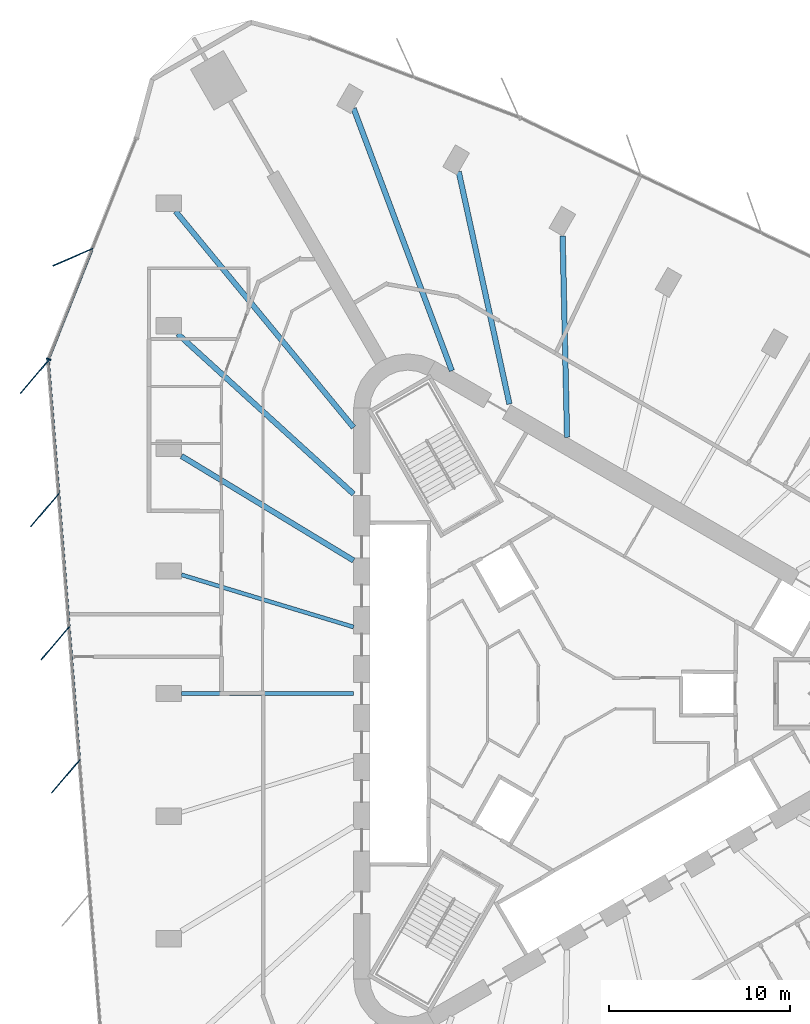
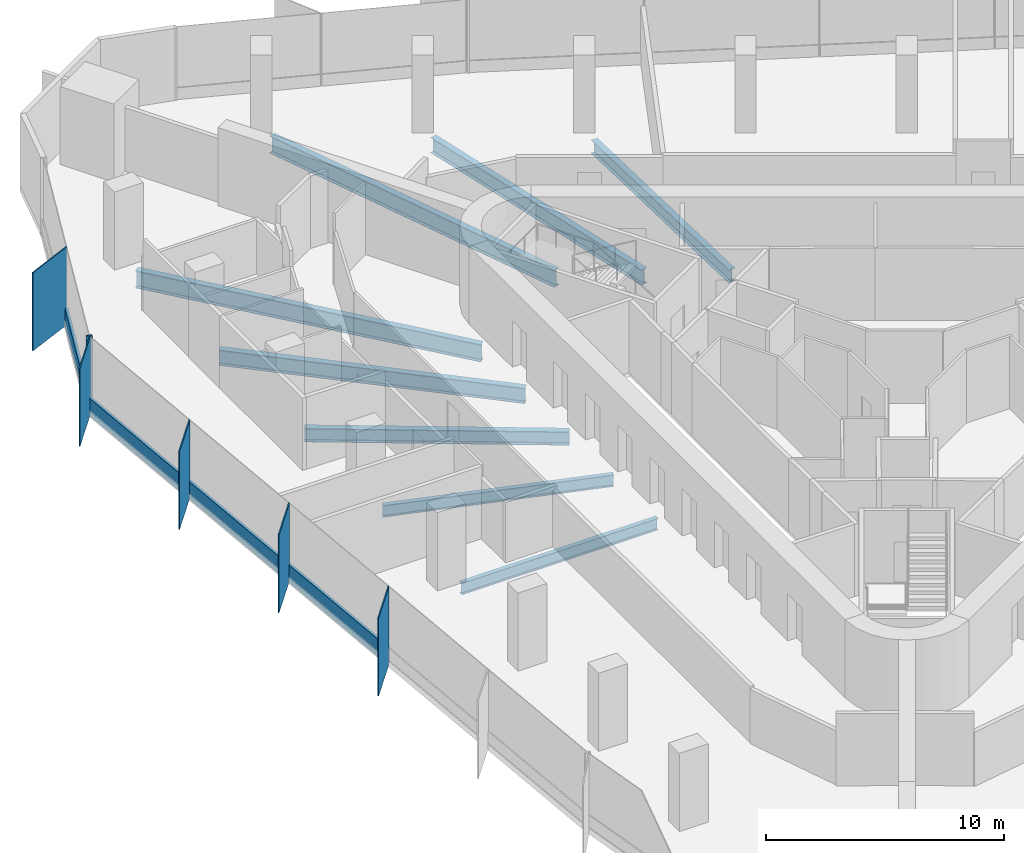
# One storey, part 4 of 13: 10 members, 8 beams, 2 elements without a shape of their own.
"""IFC4 building model written with IfcOpenShell, lengths in metres."""

from ifc_helpers import new_model, si_unit, direction, frame, origin, origin_2d, place, context, subcontext, project, spatial, rectangle, i_section, extrude, material, material_profile, profile_set, type_object, element, aggregate, save


model = new_model("IFC4")

# Units and contexts
model_context = context("Model", 3, precision=1e-05, world=origin(), true_north=direction((0.0, 1.0)))
body_context = subcontext(model_context, "Body", "Model", "MODEL_VIEW")
ifc_project = project(units=[si_unit("LENGTHUNIT", "METRE"), si_unit("AREAUNIT", "SQUARE_METRE"), si_unit("VOLUMEUNIT", "CUBIC_METRE"), si_unit("PLANEANGLEUNIT", "RADIAN"), si_unit("MASSUNIT", "GRAM", prefix="KILO")], contexts=[model_context])

# Site, building, storey
site_placement = place(None, origin())
site = spatial("IfcSite", under=ifc_project, at=site_placement, CompositionType="ELEMENT")
building_placement = place(site_placement, origin())
building = spatial("IfcBuilding", under=site, at=building_placement, Name="Tanit Gate Tower", CompositionType="ELEMENT")
storey_placement = place(building_placement, frame((0.0, 0.0, 197.199951171875)))
storey = spatial("IfcBuildingStorey", under=building, at=storey_placement, Name="L43", CompositionType="ELEMENT", Elevation=197.199951171875)

# Curtain wall, member
ifc_material_1 = material(Name="Aluminium bronze anodised and glass", Category="aluminium")
curtain_wall_type = type_object("IfcCurtainWallType", Name="Curtain wall typical mid", PredefinedType="NOTDEFINED", material=ifc_material_1)
curtain_wall_1_placement = place(storey_placement, origin())
curtain_wall_1 = element("IfcCurtainWall", 1, at=curtain_wall_1_placement, inside=storey, type_object=curtain_wall_type, Name="Curtain wall L43 W1", PredefinedType="NOTDEFINED")
ifc_material_2 = material(Name="Aluminium bronze anodised", Category="aluminium")
ifc_material_profile_1 = material_profile(ifc_material_2, rectangle(XDim=2.39990234375, YDim=0.055908203125, at=origin_2d()), Name="56x2400 bronze fin mullion")
ifc_profile_set_1 = profile_set([ifc_material_profile_1], Name="Aluminium bronze anodised")
member_type_1 = type_object("IfcMemberType", Name="FIN MULLION 56x2400 bronze", PredefinedType="MULLION", material=ifc_profile_set_1)
member_1_placement = place(storey_placement, frame((-27.60888671875, 24.100830078125, -0.300048828125), z_axis=(0.0, 0.0, 1.0), x_axis=(0.917994153151, 0.396593916721, 0.0)))
member_1 = element("IfcMember", 2, at=member_1_placement, type_object=member_type_1, Name="Fin mullion L43 W1.2", PredefinedType="MULLION", context=body_context, shape_type="SweptSolid", body=[
    extrude(rectangle(XDim=2.39990234375, YDim=0.055908203125, at=origin_2d()), origin(), (0.0, 0.0, 1.0), 4.0),
])

# Curtain wall, members
curtain_wall_2_placement = place(storey_placement, origin())
curtain_wall_2 = element("IfcCurtainWall", 3, at=curtain_wall_2_placement, inside=storey, type_object=curtain_wall_type, Name="Curtain wall L43 W2", PredefinedType="NOTDEFINED")
member_2_placement = place(storey_placement, frame((-29.724853515625, 17.4931640625, -0.300048828125), z_axis=(0.0, 0.0, 1.0), x_axis=(0.649921223903, 0.760001580735, 0.0)))
member_2 = element("IfcMember", 4, at=member_2_placement, type_object=member_type_1, Name="Fin mullion L43 W2.1", PredefinedType="MULLION", context=body_context, shape_type="SweptSolid", body=[
    extrude(rectangle(XDim=2.39990234375, YDim=0.055908203125, at=origin_2d()), origin(), (0.0, 0.0, 1.0), 4.0),
])
member_3_placement = place(storey_placement, frame((-29.150390625, 10.13671875, -0.300048828125), z_axis=(0.0, 0.0, 1.0), x_axis=(0.649921223903, 0.760001580735, 0.0)))
member_3 = element("IfcMember", 5, at=member_3_placement, type_object=member_type_1, Name="Fin mullion L43 W2.2", PredefinedType="MULLION", context=body_context, shape_type="SweptSolid", body=[
    extrude(rectangle(XDim=2.39990234375, YDim=0.055908203125, at=origin_2d()), origin(), (0.0, 0.0, 1.0), 4.0),
])
member_4_placement = place(storey_placement, frame((-28.576171875, 2.7802734375, -0.300048828125), z_axis=(0.0, 0.0, 1.0), x_axis=(0.649921223903, 0.760001580735, 0.0)))
member_4 = element("IfcMember", 6, at=member_4_placement, type_object=member_type_1, Name="Fin mullion L43 W2.3", PredefinedType="MULLION", context=body_context, shape_type="SweptSolid", body=[
    extrude(rectangle(XDim=2.39990234375, YDim=0.055908203125, at=origin_2d()), origin(), (0.0, 0.0, 1.0), 4.0),
])
member_5_placement = place(storey_placement, frame((-28.001708984375, -4.576171875, -0.300048828125), z_axis=(0.0, 0.0, 1.0), x_axis=(0.649921223903, 0.760001580735, 0.0)))
member_5 = element("IfcMember", 7, at=member_5_placement, type_object=member_type_1, Name="Fin mullion L43 W2.4", PredefinedType="MULLION", context=body_context, shape_type="SweptSolid", body=[
    extrude(rectangle(XDim=2.39990234375, YDim=0.055908203125, at=origin_2d()), origin(), (0.0, 0.0, 1.0), 4.0),
])

# Member
ifc_material_3 = material(Name="Aluminium bronze anodised", Category="aluminium")
ifc_material_profile_2 = material_profile(ifc_material_3, rectangle(XDim=0.260009765625, YDim=0.080078125, at=origin_2d()), Name="80x260 bronze mullion")
ifc_profile_set_2 = profile_set([ifc_material_profile_2], Name="Aluminium bronze anodised")
member_type_2 = type_object("IfcMemberType", Name="Mullion 80x260 typical mid", PredefinedType="MULLION", material=ifc_profile_set_2)
member_6_placement = place(storey_placement, frame((-28.947021484375, 18.466064453125, -0.300048828125), z_axis=(0.0, 0.0, 1.0), x_axis=(0.929554138674, -0.368685642892, 0.0)))
member_6 = element("IfcMember", 8, at=member_6_placement, type_object=member_type_2, Name="Mullion L43 W1.3", PredefinedType="MULLION", context=body_context, shape_type="SweptSolid", body=[
    extrude(rectangle(XDim=0.260009765625, YDim=0.080078125, at=origin_2d()), origin(), (0.0, 0.0, 1.0), 4.0),
])

# Beams
ifc_material_4 = material(Name="Steel S355", Category="steel")
ifc_material_profile_3 = material_profile(ifc_material_4, i_section(OverallWidth=0.300048828125, OverallDepth=0.68994140625, WebThickness=0.014404296875, FlangeThickness=0.027099609375, FilletRadius=0.027099609375, at=origin_2d()), Name="HEA 700")
ifc_profile_set_3 = profile_set([ifc_material_profile_3], Name="Steel S355")
beam_type_1 = type_object("IfcBeamType", Name="RADIAL GIRDER HEA 700 S355", PredefinedType="BEAM", material=ifc_profile_set_3)
beam_1_placement = place(storey_placement, frame((-0.556884765625, 25.269775390625, -0.64501953125), z_axis=(0.022024571196, -0.999757429712, 0.0), x_axis=(0.999757429712, 0.022024571196, 0.0)))
element("IfcBeam", 9, at=beam_1_placement, inside=storey, type_object=beam_type_1, Name="RADIAL GIRDER", PredefinedType="BEAM", context=body_context, shape_type="SweptSolid", body=[
    extrude(i_section(OverallWidth=0.300048828125, OverallDepth=0.68994140625, WebThickness=0.014404296875, FlangeThickness=0.027099609375, FilletRadius=0.027099609375, at=origin_2d()), origin(), (0.0, 0.0, 1.0), 11.1181640625),
])
beam_2_placement = place(storey_placement, frame((-21.605712890625, 13.116943359375, -0.64501953125), z_axis=(0.854799691716, -0.518958078309, 0.0), x_axis=(0.518958078309, 0.854799691716, 0.0)))
element("IfcBeam", 10, at=beam_2_placement, inside=storey, type_object=beam_type_1, Name="RADIAL GIRDER", PredefinedType="BEAM", context=body_context, shape_type="SweptSolid", body=[
    extrude(i_section(OverallWidth=0.300048828125, OverallDepth=0.68994140625, WebThickness=0.014404296875, FlangeThickness=0.027099609375, FilletRadius=0.027099609375, at=origin_2d()), origin(), (0.0, 0.0, 1.0), 11.117919921875),
])
ifc_material_5 = material(Name="Steel S355", Category="steel")
ifc_material_profile_4 = material_profile(ifc_material_5, i_section(OverallWidth=0.300048828125, OverallDepth=0.7900390625, WebThickness=0.014892578125, FlangeThickness=0.028076171875, FilletRadius=0.030029296875, at=origin_2d()), Name="HEA 800")
ifc_profile_set_4 = profile_set([ifc_material_profile_4], Name="Steel S355")
beam_type_2 = type_object("IfcBeamType", Name="RADIAL GIRDER HEA 800 S355", PredefinedType="BEAM", material=ifc_profile_set_4)
beam_3_placement = place(storey_placement, frame((-6.2958984375, 28.821044921875, -0.695068359375), z_axis=(0.213417442775, -0.976961102153, 0.0), x_axis=(0.976961102153, 0.213417442775, 0.0)))
element("IfcBeam", 11, at=beam_3_placement, inside=storey, type_object=beam_type_2, Name="RADIAL GIRDER", PredefinedType="BEAM", context=body_context, shape_type="SweptSolid", body=[
    extrude(i_section(OverallWidth=0.300048828125, OverallDepth=0.7900390625, WebThickness=0.014892578125, FlangeThickness=0.028076171875, FilletRadius=0.030029296875, at=origin_2d()), origin(), (0.0, 0.0, 1.0), 13.132568359375),
])
beam_4_placement = place(storey_placement, frame((-21.811767578125, 19.86279296875, -0.695068359375), z_axis=(0.739370310624, -0.673299000273, 0.0), x_axis=(0.673299000273, 0.739370310624, 0.0)))
element("IfcBeam", 12, at=beam_4_placement, inside=storey, type_object=beam_type_2, Name="RADIAL GIRDER", PredefinedType="BEAM", context=body_context, shape_type="SweptSolid", body=[
    extrude(i_section(OverallWidth=0.300048828125, OverallDepth=0.7900390625, WebThickness=0.014892578125, FlangeThickness=0.028076171875, FilletRadius=0.030029296875, at=origin_2d()), origin(), (0.0, 0.0, 1.0), 13.13232421875),
])
ifc_material_6 = material(Name="Steel S355", Category="steel")
ifc_material_profile_5 = material_profile(ifc_material_6, i_section(OverallWidth=0.300048828125, OverallDepth=0.889892578125, WebThickness=0.01611328125, FlangeThickness=0.030029296875, FilletRadius=0.030029296875, at=origin_2d()), Name="HEA 900")
ifc_profile_set_5 = profile_set([ifc_material_profile_5], Name="Steel S355")
beam_type_3 = type_object("IfcBeamType", Name="RADIAL GIRDER HEA 900 S355", PredefinedType="BEAM", material=ifc_profile_set_5)
for number, where, z_axis, x_axis, name in (
    (13, (-12.09814453125, 32.3134765625, -0.744873046875), (0.350626951339, -0.936515211299, 0.0), (0.936515211299, 0.350626951339, 0.0), "RADIAL GIRDER"),
    (14, (-21.935302734375, 26.6337890625, -0.744873046875), (0.635736575047, -0.771906087, 0.0), (0.771906087, 0.635736575047, 0.0), "RADIAL GIRDER"),
):
    element("IfcBeam", number, at=place(storey_placement, frame(where, z_axis=z_axis, x_axis=x_axis)), inside=storey, type_object=beam_type_3, Name=name, PredefinedType="BEAM", context=body_context, shape_type="SweptSolid", body=[
        extrude(i_section(OverallWidth=0.300048828125, OverallDepth=0.889892578125, WebThickness=0.01611328125, FlangeThickness=0.030029296875, FilletRadius=0.030029296875, at=origin_2d()), origin(), (0.0, 0.0, 1.0), 15.467529296875),
    ])
ifc_material_7 = material(Name="Steel S355", Category="steel")
ifc_material_profile_6 = material_profile(ifc_material_7, i_section(OverallWidth=0.219970703125, OverallDepth=0.60009765625, WebThickness=0.011962890625, FlangeThickness=0.01904296875, FilletRadius=0.02392578125, at=origin_2d()), Name="IPE 600")
ifc_profile_set_6 = profile_set([ifc_material_profile_6], Name="Steel S355")
beam_type_4 = type_object("IfcBeamType", Name="RADIAL GIRDER IPE 600 S355", PredefinedType="BEAM", material=ifc_profile_set_6)
beam_5_placement = place(storey_placement, frame((-21.605712890625, 6.55859375, -0.599853515625), z_axis=(0.956881430709, -0.290478790215, 0.0), x_axis=(0.290478790215, 0.956881430709, 0.0)))
element("IfcBeam", 15, at=beam_5_placement, inside=storey, type_object=beam_type_4, Name="RADIAL GIRDER", PredefinedType="BEAM", context=body_context, shape_type="SweptSolid", body=[
    extrude(i_section(OverallWidth=0.219970703125, OverallDepth=0.60009765625, WebThickness=0.011962890625, FlangeThickness=0.01904296875, FilletRadius=0.02392578125, at=origin_2d()), origin(), (0.0, 0.0, 1.0), 9.931884765625),
])
beam_6_placement = place(storey_placement, frame((-21.605712890625, 0.0, -0.599853515625), z_axis=(1.0, 0.0, 0.0), x_axis=(0.0, 1.0, 0.0)))
element("IfcBeam", 16, at=beam_6_placement, inside=storey, type_object=beam_type_4, Name="RADIAL GIRDER", PredefinedType="BEAM", context=body_context, shape_type="SweptSolid", body=[
    extrude(i_section(OverallWidth=0.219970703125, OverallDepth=0.60009765625, WebThickness=0.011962890625, FlangeThickness=0.01904296875, FilletRadius=0.02392578125, at=origin_2d()), origin(), (0.0, 0.0, 1.0), 9.503662109375),
])

# Member
ifc_material_8 = material(Name="Aluminium bronze anodised", Category="aluminium")
ifc_material_profile_7 = material_profile(ifc_material_8, rectangle(XDim=0.139892578125, YDim=0.89990234375, at=origin_2d()), Name="140x900 bronze transom")
ifc_profile_set_7 = profile_set([ifc_material_profile_7], Name="Aluminium bronze anodised")
member_type_3 = type_object("IfcMemberType", Name="Transom 140x900 typical mid", PredefinedType="USERDEFINED", material=ifc_profile_set_7)
member_7_placement = place(storey_placement, frame((-26.54150390625, 24.531005859375, 0.150146484375), z_axis=(-0.368695272447, -0.929550319281, 0.0), x_axis=(0.929550319281, -0.368695272447, 0.0)))
member_7 = element("IfcMember", 17, at=member_7_placement, type_object=member_type_3, Name="Transom L43 W1.2", ObjectType="TRANSOM", PredefinedType="USERDEFINED", context=body_context, shape_type="SweptSolid", body=[
    extrude(rectangle(XDim=0.139892578125, YDim=0.89990234375, at=origin_2d()), origin(), (0.0, 0.0, 1.0), 6.484619140625),
])

aggregate(curtain_wall_1, [member_1, member_6, member_7])

member_8_placement = place(storey_placement, frame((-28.95556640625, 18.34912109375, 0.150146484375), z_axis=(0.077837277659, -0.996966076758, 0.0), x_axis=(0.996966076758, 0.077837277659, 0.0)))
member_8 = element("IfcMember", 18, at=member_8_placement, type_object=member_type_3, Name="Transom L43 W2.1", ObjectType="TRANSOM", PredefinedType="USERDEFINED", context=body_context, shape_type="SweptSolid", body=[
    extrude(rectangle(XDim=0.139892578125, YDim=0.89990234375, at=origin_2d()), origin(), (0.0, 0.0, 1.0), 7.298828125),
])

member_9_placement = place(storey_placement, frame((-28.381103515625, 10.99267578125, 0.150146484375), z_axis=(0.077837277659, -0.996966076758, 0.0), x_axis=(0.996966076758, 0.077837277659, 0.0)))
member_9 = element("IfcMember", 19, at=member_9_placement, type_object=member_type_3, Name="Transom L43 W2.2", ObjectType="TRANSOM", PredefinedType="USERDEFINED", context=body_context, shape_type="SweptSolid", body=[
    extrude(rectangle(XDim=0.139892578125, YDim=0.89990234375, at=origin_2d()), origin(), (0.0, 0.0, 1.0), 7.298828125),
])

member_10_placement = place(storey_placement, frame((-27.806884765625, 3.63623046875, 0.150146484375), z_axis=(0.077837277659, -0.996966076758, 0.0), x_axis=(0.996966076758, 0.077837277659, 0.0)))
member_10 = element("IfcMember", 20, at=member_10_placement, type_object=member_type_3, Name="Transom L43 W2.3", ObjectType="TRANSOM", PredefinedType="USERDEFINED", context=body_context, shape_type="SweptSolid", body=[
    extrude(rectangle(XDim=0.139892578125, YDim=0.89990234375, at=origin_2d()), origin(), (0.0, 0.0, 1.0), 7.298828125),
])

aggregate(curtain_wall_2, [member_2, member_3, member_4, member_5, member_8, member_9, member_10])

save(model, "model.ifc")
